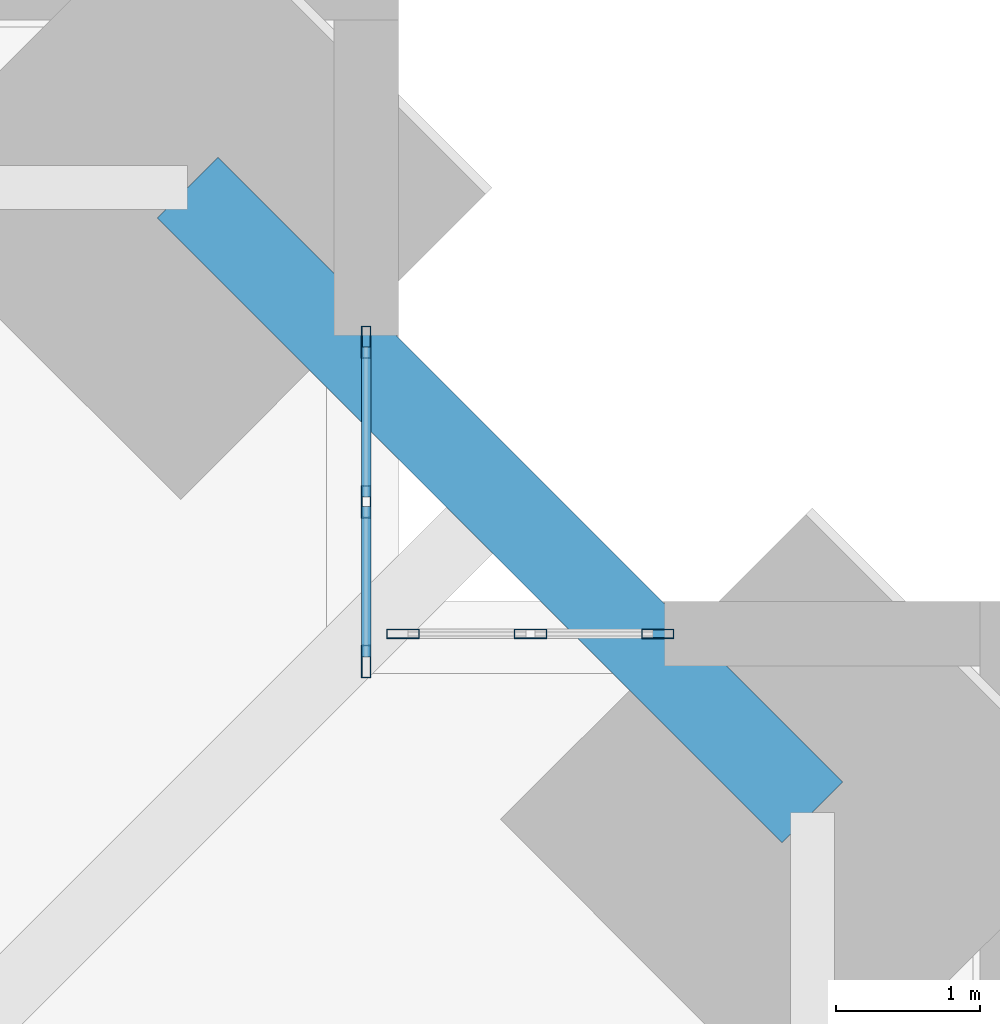
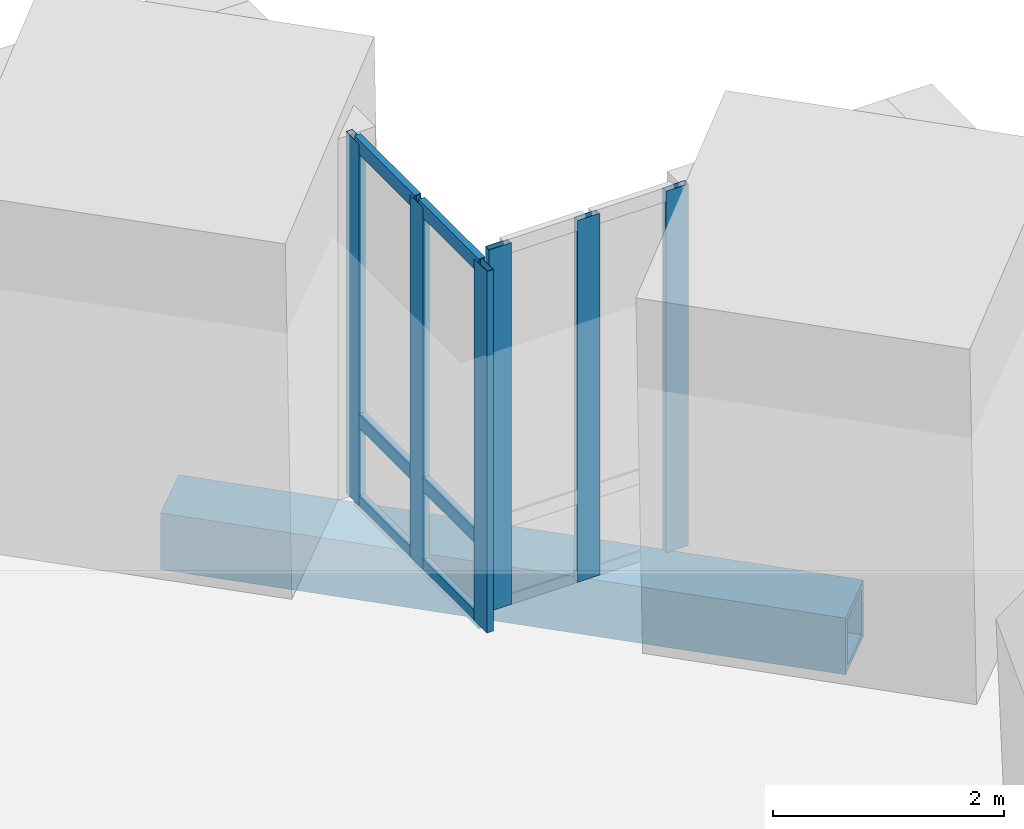
# One storey, part 8 of 16: 12 members, 1 beam, 2 elements without a shape of their own.
"""IFC4 building model written with IfcOpenShell, lengths in metres."""

from ifc_helpers import new_model, si_unit, direction, frame, origin, origin_2d, place, context, subcontext, project, spatial, hollow_rectangle, extrude, material, material_profile, profile_set, type_object, element, aggregate, save


model = new_model("IFC4")

# Units and contexts
model_context = context("Model", 3, precision=1e-05, world=origin(), true_north=direction((0.0, 1.0)))
body_context = subcontext(model_context, "Body", "Model", "MODEL_VIEW")
ifc_project = project(units=[si_unit("LENGTHUNIT", "METRE"), si_unit("AREAUNIT", "SQUARE_METRE"), si_unit("VOLUMEUNIT", "CUBIC_METRE"), si_unit("PLANEANGLEUNIT", "RADIAN"), si_unit("MASSUNIT", "GRAM", prefix="KILO")], contexts=[model_context])

# Site, building, storey
site_placement = place(None, origin())
site = spatial("IfcSite", under=ifc_project, at=site_placement, CompositionType="ELEMENT")
building_placement = place(site_placement, origin())
building = spatial("IfcBuilding", under=site, at=building_placement, Name="Peilmerk Tower", CompositionType="ELEMENT")
storey_placement = place(building_placement, frame((0.0, 0.0, 131.800048828125)))
storey = spatial("IfcBuildingStorey", under=building, at=storey_placement, Name="L26", CompositionType="ELEMENT", Elevation=131.800048828125)

# Beam
ifc_material_1 = material(Name="Steel S460", Category="steel")
ifc_material_profile_1 = material_profile(ifc_material_1, hollow_rectangle(XDim=0.60009765625, YDim=0.60009765625, WallThickness=0.06005859375, at=origin_2d()), Name="BOX 600x600x60")
ifc_profile_set_1 = profile_set([ifc_material_profile_1], Name="Steel S460")
beam_type = type_object("IfcBeamType", Name="B20 BOX 600x600x60 notch beam", PredefinedType="SPANDREL", material=ifc_profile_set_1)
beam_placement = place(storey_placement, frame((21.232177734375, 25.582275390625, -0.469970703125), z_axis=(0.707106781187, -0.707106781187, 0.0), x_axis=(0.707106781187, 0.707106781187, 0.0)))
element("IfcBeam", 1, at=beam_placement, inside=storey, type_object=beam_type, Name="Notch beam L26", PredefinedType="SPANDREL", context=body_context, shape_type="SweptSolid", body=[
    extrude(hollow_rectangle(XDim=0.60009765625, YDim=0.60009765625, WallThickness=0.06005859375, at=origin_2d()), origin(), (0.0, 0.0, 1.0), 6.15185546875),
])

# Curtain wall, members
ifc_material_2 = material(Name="Aluminium stick curtain wall", Category="aluminium")
curtain_wall_type = type_object("IfcCurtainWallType", Name="CW3 stick curtain wall, 2250 module", PredefinedType="NOTDEFINED", material=ifc_material_2)
curtain_wall_1_placement = place(storey_placement, origin())
curtain_wall_1 = element("IfcCurtainWall", 2, at=curtain_wall_1_placement, inside=storey, type_object=curtain_wall_type, Name="Curtain wall CW3 NEA L26", PredefinedType="NOTDEFINED")
ifc_material_3 = material(Name="Aluminium EN AW-6063 T6", Category="aluminium")
ifc_material_profile_2 = material_profile(ifc_material_3, hollow_rectangle(XDim=0.06494140625, YDim=0.22509765625, WallThickness=0.00390625, at=origin_2d()), Name="AL 225x65x4")
ifc_profile_set_2 = profile_set([ifc_material_profile_2], Name="Aluminium EN AW-6063 T6")
member_type_1 = type_object("IfcMemberType", Name="CW3-M AL 225x65x4 mullion", PredefinedType="MULLION", material=ifc_profile_set_2)
member_1_placement = place(storey_placement, frame((22.47509765625, 22.282470703125, 0.0), z_axis=(0.0, 0.0, 1.0), x_axis=(-1.0, 0.0, 0.0)))
member_1 = element("IfcMember", 3, at=member_1_placement, type_object=member_type_1, Name="CW3 mullion 1", PredefinedType="MULLION", context=body_context, shape_type="SweptSolid", body=[
    extrude(hollow_rectangle(XDim=0.06494140625, YDim=0.22509765625, WallThickness=0.00390625, at=origin_2d()), origin(), (0.0, 0.0, 1.0), 3.829833984375),
])
member_2_placement = place(storey_placement, frame((22.47509765625, 23.394287109375, 0.0), z_axis=(0.0, 0.0, 1.0), x_axis=(-1.0, 0.0, 0.0)))
member_2 = element("IfcMember", 4, at=member_2_placement, type_object=member_type_1, Name="CW3 mullion 2", PredefinedType="MULLION", context=body_context, shape_type="SweptSolid", body=[
    extrude(hollow_rectangle(XDim=0.06494140625, YDim=0.22509765625, WallThickness=0.00390625, at=origin_2d()), origin(), (0.0, 0.0, 1.0), 3.829833984375),
])
member_3_placement = place(storey_placement, frame((22.47509765625, 24.506103515625, 0.0), z_axis=(0.0, 0.0, 1.0), x_axis=(-1.0, 0.0, 0.0)))
member_3 = element("IfcMember", 5, at=member_3_placement, type_object=member_type_1, Name="CW3 mullion 3", PredefinedType="MULLION", context=body_context, shape_type="SweptSolid", body=[
    extrude(hollow_rectangle(XDim=0.06494140625, YDim=0.22509765625, WallThickness=0.00390625, at=origin_2d()), origin(), (0.0, 0.0, 1.0), 3.829833984375),
])

curtain_wall_2_placement = place(storey_placement, origin())
curtain_wall_2 = element("IfcCurtainWall", 6, at=curtain_wall_2_placement, inside=storey, type_object=curtain_wall_type, Name="Curtain wall CW3 NEB L26", PredefinedType="NOTDEFINED")
member_4_placement = place(storey_placement, frame((22.732421875, 22.47509765625, 0.0), z_axis=(0.0, 0.0, 1.0), x_axis=(0.0, 1.0, 0.0)))
member_4 = element("IfcMember", 7, at=member_4_placement, type_object=member_type_1, Name="CW3 mullion 1", PredefinedType="MULLION", context=body_context, shape_type="SweptSolid", body=[
    extrude(hollow_rectangle(XDim=0.06494140625, YDim=0.22509765625, WallThickness=0.00390625, at=origin_2d()), origin(), (0.0, 0.0, 1.0), 3.829833984375),
])
member_5_placement = place(storey_placement, frame((23.619384765625, 22.47509765625, 0.0), z_axis=(0.0, 0.0, 1.0), x_axis=(0.0, 1.0, 0.0)))
member_5 = element("IfcMember", 8, at=member_5_placement, type_object=member_type_1, Name="CW3 mullion 2", PredefinedType="MULLION", context=body_context, shape_type="SweptSolid", body=[
    extrude(hollow_rectangle(XDim=0.06494140625, YDim=0.22509765625, WallThickness=0.00390625, at=origin_2d()), origin(), (0.0, 0.0, 1.0), 3.829833984375),
])
member_6_placement = place(storey_placement, frame((24.506103515625, 22.47509765625, 0.0), z_axis=(0.0, 0.0, 1.0), x_axis=(0.0, 1.0, 0.0)))
member_6 = element("IfcMember", 9, at=member_6_placement, type_object=member_type_1, Name="CW3 mullion 3", PredefinedType="MULLION", context=body_context, shape_type="SweptSolid", body=[
    extrude(hollow_rectangle(XDim=0.06494140625, YDim=0.22509765625, WallThickness=0.00390625, at=origin_2d()), origin(), (0.0, 0.0, 1.0), 3.829833984375),
])
aggregate(curtain_wall_2, [member_4, member_5, member_6])

# Member
ifc_material_profile_3 = material_profile(ifc_material_3, hollow_rectangle(XDim=0.06494140625, YDim=0.14990234375, WallThickness=0.0029296875, at=origin_2d()), Name="AL 150x65x3")
ifc_profile_set_3 = profile_set([ifc_material_profile_3], Name="Aluminium EN AW-6063 T6")
member_type_2 = type_object("IfcMemberType", Name="CW3-T AL 150x65x3 transom", PredefinedType="USERDEFINED", material=ifc_profile_set_3)
member_7_placement = place(storey_placement, frame((22.47509765625, 22.31494140625, 0.032470703125), z_axis=(0.0, 1.0, 0.0), x_axis=(-1.0, 0.0, 0.0)))
member_7 = element("IfcMember", 10, at=member_7_placement, type_object=member_type_2, Name="CW3 transom 1.1", ObjectType="TRANSOM", PredefinedType="USERDEFINED", context=body_context, shape_type="SweptSolid", body=[
    extrude(hollow_rectangle(XDim=0.06494140625, YDim=0.14990234375, WallThickness=0.0029296875, at=origin_2d()), origin(), (0.0, 0.0, 1.0), 1.046875),
])

member_8_placement = place(storey_placement, frame((22.47509765625, 22.31494140625, 0.89990234375), z_axis=(0.0, 1.0, 0.0), x_axis=(-1.0, 0.0, 0.0)))
member_8 = element("IfcMember", 11, at=member_8_placement, type_object=member_type_2, Name="CW3 transom 1.2", ObjectType="TRANSOM", PredefinedType="USERDEFINED", context=body_context, shape_type="SweptSolid", body=[
    extrude(hollow_rectangle(XDim=0.06494140625, YDim=0.14990234375, WallThickness=0.0029296875, at=origin_2d()), origin(), (0.0, 0.0, 1.0), 1.046875),
])

member_9_placement = place(storey_placement, frame((22.47509765625, 22.31494140625, 3.79736328125), z_axis=(0.0, 1.0, 0.0), x_axis=(-1.0, 0.0, 0.0)))
member_9 = element("IfcMember", 12, at=member_9_placement, type_object=member_type_2, Name="CW3 transom 1.3", ObjectType="TRANSOM", PredefinedType="USERDEFINED", context=body_context, shape_type="SweptSolid", body=[
    extrude(hollow_rectangle(XDim=0.06494140625, YDim=0.14990234375, WallThickness=0.0029296875, at=origin_2d()), origin(), (0.0, 0.0, 1.0), 1.046875),
])

member_10_placement = place(storey_placement, frame((22.47509765625, 23.4267578125, 0.032470703125), z_axis=(0.0, 1.0, 0.0), x_axis=(-1.0, 0.0, 0.0)))
member_10 = element("IfcMember", 13, at=member_10_placement, type_object=member_type_2, Name="CW3 transom 2.1", ObjectType="TRANSOM", PredefinedType="USERDEFINED", context=body_context, shape_type="SweptSolid", body=[
    extrude(hollow_rectangle(XDim=0.06494140625, YDim=0.14990234375, WallThickness=0.0029296875, at=origin_2d()), origin(), (0.0, 0.0, 1.0), 1.046875),
])

member_11_placement = place(storey_placement, frame((22.47509765625, 23.4267578125, 0.89990234375), z_axis=(0.0, 1.0, 0.0), x_axis=(-1.0, 0.0, 0.0)))
member_11 = element("IfcMember", 14, at=member_11_placement, type_object=member_type_2, Name="CW3 transom 2.2", ObjectType="TRANSOM", PredefinedType="USERDEFINED", context=body_context, shape_type="SweptSolid", body=[
    extrude(hollow_rectangle(XDim=0.06494140625, YDim=0.14990234375, WallThickness=0.0029296875, at=origin_2d()), origin(), (0.0, 0.0, 1.0), 1.046875),
])

member_12_placement = place(storey_placement, frame((22.47509765625, 23.4267578125, 3.79736328125), z_axis=(0.0, 1.0, 0.0), x_axis=(-1.0, 0.0, 0.0)))
member_12 = element("IfcMember", 15, at=member_12_placement, type_object=member_type_2, Name="CW3 transom 2.3", ObjectType="TRANSOM", PredefinedType="USERDEFINED", context=body_context, shape_type="SweptSolid", body=[
    extrude(hollow_rectangle(XDim=0.06494140625, YDim=0.14990234375, WallThickness=0.0029296875, at=origin_2d()), origin(), (0.0, 0.0, 1.0), 1.046875),
])

aggregate(curtain_wall_1, [member_1, member_2, member_3, member_7, member_8, member_9, member_10, member_11, member_12])

save(model, "model.ifc")
